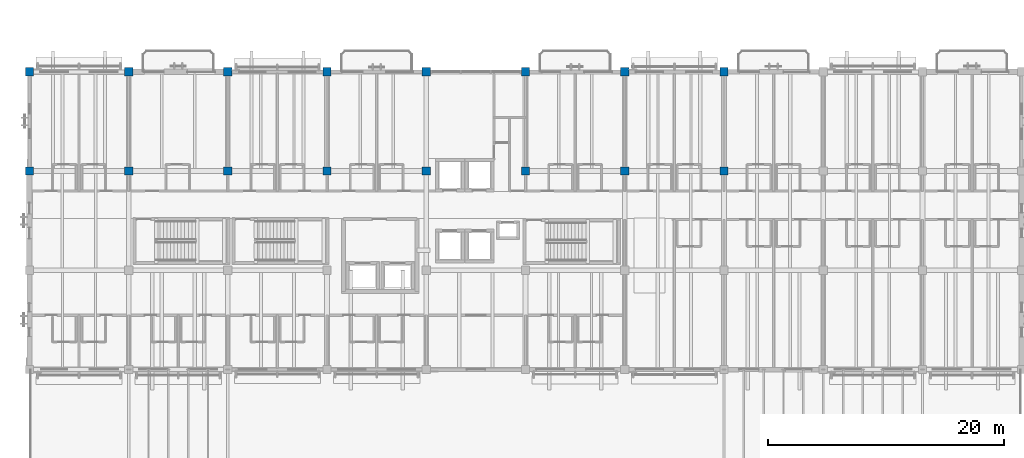
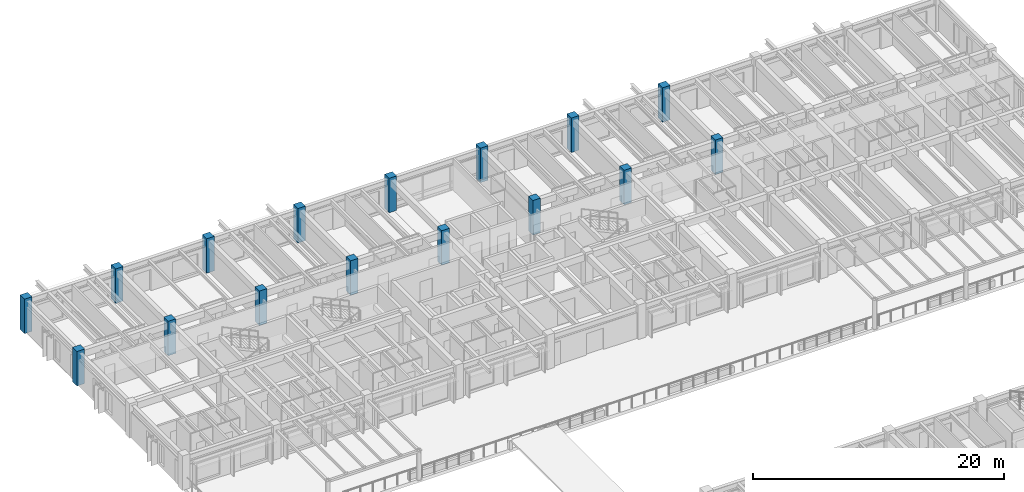
# One storey, part 4 of 111: 16 columns.
"""IFC4 building model written with IfcOpenShell, lengths in metres."""

from ifc_helpers import new_model, si_unit, direction, frame, origin, origin_2d, place, context, subcontext, project, spatial, rectangle, extrude, material, material_profile, profile_set, type_object, element, save


model = new_model("IFC4")

# Units and contexts
model_context = context("Model", 3, precision=1e-05, world=origin(), true_north=direction((0.0, 1.0)))
body_context = subcontext(model_context, "Body", "Model", "MODEL_VIEW")
ifc_project = project(units=[si_unit("LENGTHUNIT", "METRE"), si_unit("AREAUNIT", "SQUARE_METRE"), si_unit("VOLUMEUNIT", "CUBIC_METRE"), si_unit("PLANEANGLEUNIT", "RADIAN"), si_unit("MASSUNIT", "GRAM", prefix="KILO")], contexts=[model_context])

# Site, building, storey
site_placement = place(None, origin())
site = spatial("IfcSite", under=ifc_project, at=site_placement, CompositionType="ELEMENT")
building_placement = place(site_placement, origin())
building = spatial("IfcBuilding", under=site, at=building_placement, Name="Cumbredor Promenade Congress Hotel", CompositionType="ELEMENT")
storey_placement = place(building_placement, frame((0.0, 0.0, 15.1201171875)))
storey = spatial("IfcBuildingStorey", under=building, at=storey_placement, Name="L04", CompositionType="ELEMENT", Elevation=15.1201171875)

# Columns
ifc_material = material(Name="Concrete C40/50", Category="concrete")
ifc_material_profile = material_profile(ifc_material, rectangle(XDim=0.699951171875, YDim=0.699951171875, at=origin_2d()), Name="RC 700x700")
ifc_profile_set = profile_set([ifc_material_profile], Name="Concrete C40/50")
column_type = type_object("IfcColumnType", Name="COL-RC-700", PredefinedType="COLUMN", material=ifc_profile_set)
for number, where, z_axis, x_axis, name in (
    (1, (0.0, 109.199951171875, 0.0), (0.0, 0.0, 1.0), (1.0, 0.0, 0.0), "L04 Structural Column 003"),
    (2, (0.0, 117.60009765625, 0.0), (0.0, 0.0, 1.0), (1.0, 0.0, 0.0), "L04 Structural Column 004"),
    (3, (8.39990234375, 109.199951171875, 0.0), (0.0, 0.0, 1.0), (1.0, 0.0, 0.0), "L04 Structural Column 015"),
    (4, (8.39990234375, 117.60009765625, 0.0), (0.0, 0.0, 1.0), (1.0, 0.0, 0.0), "L04 Structural Column 016"),
    (5, (16.800048828125, 109.199951171875, 0.0), (0.0, 0.0, 1.0), (1.0, 0.0, 0.0), "L04 Structural Column 027"),
    (6, (16.800048828125, 117.60009765625, 0.0), (0.0, 0.0, 1.0), (1.0, 0.0, 0.0), "L04 Structural Column 028"),
    (7, (25.199951171875, 109.199951171875, 0.0), (0.0, 0.0, 1.0), (1.0, 0.0, 0.0), "L04 Structural Column 035"),
    (8, (25.199951171875, 117.60009765625, 0.0), (0.0, 0.0, 1.0), (1.0, 0.0, 0.0), "L04 Structural Column 036"),
    (9, (33.60009765625, 109.199951171875, 0.0), (0.0, 0.0, 1.0), (1.0, 0.0, 0.0), "L04 Structural Column 043"),
    (10, (33.60009765625, 117.60009765625, 0.0), (0.0, 0.0, 1.0), (1.0, 0.0, 0.0), "L04 Structural Column 044"),
    (11, (42.0, 109.199951171875, 0.0), (0.0, 0.0, 1.0), (1.0, 0.0, 0.0), "L04 Structural Column 051"),
    (12, (42.0, 117.60009765625, 0.0), (0.0, 0.0, 1.0), (1.0, 0.0, 0.0), "L04 Structural Column 052"),
    (13, (50.39990234375, 109.199951171875, 0.0), (0.0, 0.0, 1.0), (1.0, 0.0, 0.0), "L04 Structural Column 059"),
    (14, (50.39990234375, 117.60009765625, 0.0), (0.0, 0.0, 1.0), (1.0, 0.0, 0.0), "L04 Structural Column 060"),
    (15, (58.800048828125, 109.199951171875, 0.0), (0.0, 0.0, 1.0), (1.0, 0.0, 0.0), "L04 Structural Column 071"),
    (16, (58.800048828125, 117.60009765625, 0.0), (0.0, 0.0, 1.0), (1.0, 0.0, 0.0), "L04 Structural Column 072"),
):
    element("IfcColumn", number, at=place(storey_placement, frame(where, z_axis=z_axis, x_axis=x_axis)), inside=storey, type_object=column_type, Name=name, PredefinedType="COLUMN", context=body_context, shape_type="SweptSolid", body=[
        extrude(rectangle(XDim=0.699951171875, YDim=0.699951171875, at=origin_2d()), origin(), (0.0, 0.0, 1.0), 3.35986328125),
    ])

save(model, "model.ifc")
